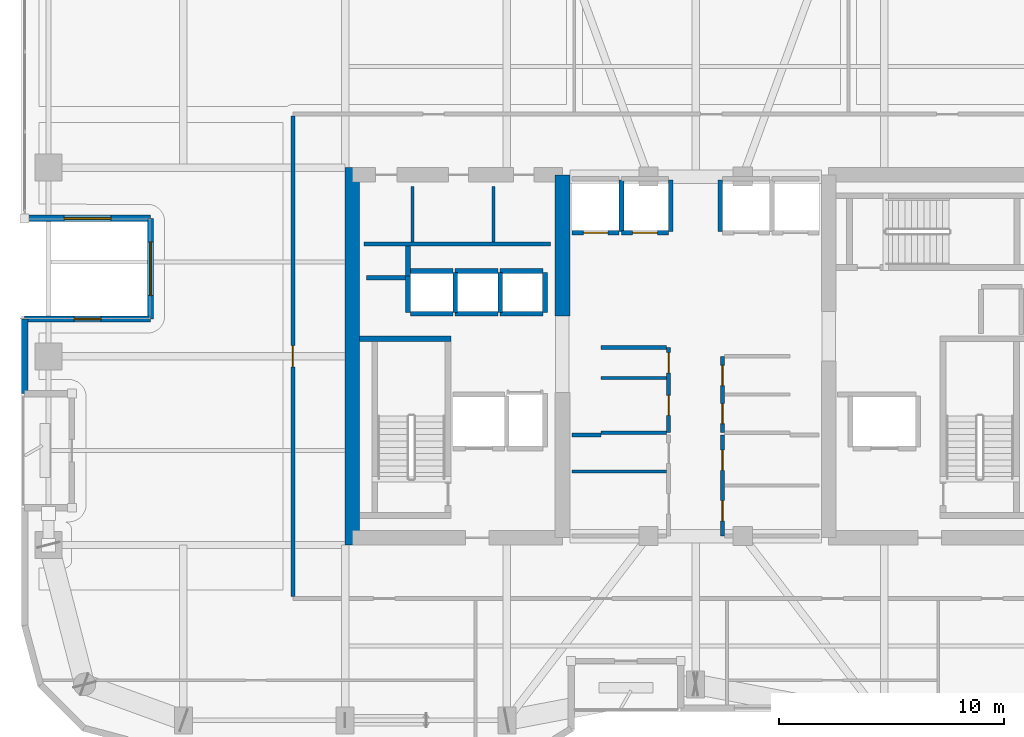
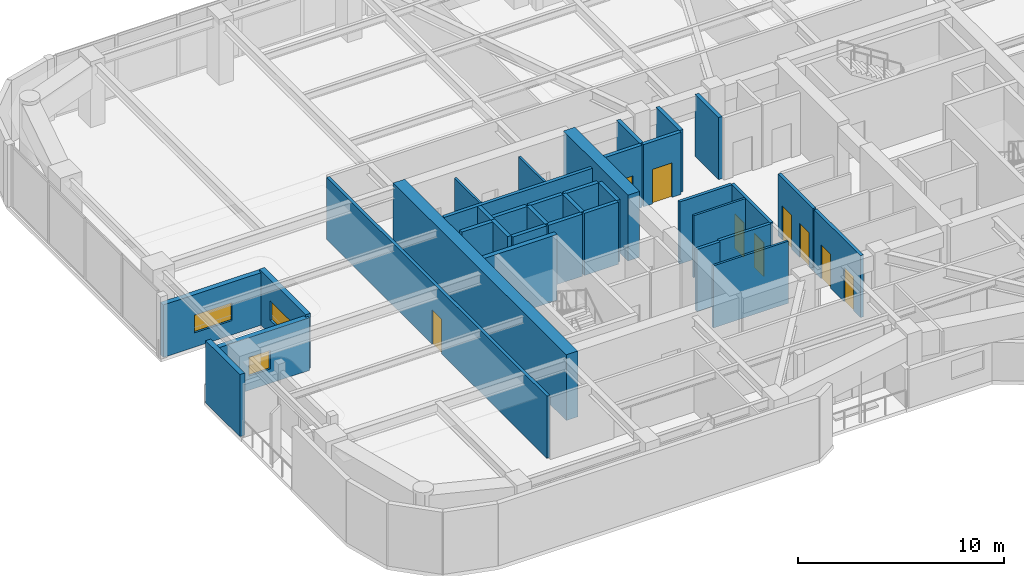
# One storey, part 21 of 26: 36 walls, 9 doors, 3 windows, 12 openings.
"""IFC4 building model written with IfcOpenShell, lengths in metres."""

from ifc_helpers import new_model, si_unit, direction, frame, frame_2d, origin, place, context, subcontext, project, spatial, rectangle, extrude, material, layer, layer_set, type_object, element, fill, save


model = new_model("IFC4")

# Units and contexts
model_context = context("Model", 3, precision=1e-05, world=origin(), true_north=direction((0.0, 1.0)))
body_context = subcontext(model_context, "Body", "Model", "MODEL_VIEW")
ifc_project = project(units=[si_unit("LENGTHUNIT", "METRE"), si_unit("AREAUNIT", "SQUARE_METRE"), si_unit("VOLUMEUNIT", "CUBIC_METRE"), si_unit("PLANEANGLEUNIT", "RADIAN"), si_unit("MASSUNIT", "GRAM", prefix="KILO")], contexts=[model_context])

# Site, building, storey
site_placement = place(None, origin())
site = spatial("IfcSite", under=ifc_project, at=site_placement, CompositionType="ELEMENT")
building_placement = place(site_placement, origin())
building = spatial("IfcBuilding", under=site, at=building_placement, Name="Kiyonajd Concourse Tower", CompositionType="ELEMENT")
storey_placement = place(building_placement, frame((0.0, 0.0, 186.300048828125)))
storey = spatial("IfcBuildingStorey", under=building, at=storey_placement, Name="L47", CompositionType="ELEMENT", Elevation=186.300048828125)

# Walls
ifc_material_1 = material(Name="Concrete C60/75", Category="concrete")
ifc_layer_1 = layer(ifc_material_1, 0.64990234375)
ifc_layer_set_1 = layer_set([ifc_layer_1], Name="Concrete C60/75")
wall_type_1 = type_object("IfcWallType", Name="WL-CORE-650", PredefinedType="SHEAR", material=ifc_layer_set_1)
wall_1_placement = place(storey_placement, frame((32.72509765625, 27.60009765625, 0.0), z_axis=(0.0, 0.0, 1.0), x_axis=(0.0, 1.0, 0.0)))
element("IfcWall", 1, at=wall_1_placement, inside=storey, type_object=wall_type_1, Name="L47 West Core Outer Shear Wall", PredefinedType="SHEAR", context=body_context, shape_type="SweptSolid", body=[
    extrude(rectangle(XDim=16.7998046875, YDim=0.64990234375, at=frame_2d((8.39990234375, 0.0))), origin(), (0.0, 0.0, 1.0), 3.89990234375),
])
wall_2_placement = place(storey_placement, frame((42.074951171875, 37.800048828125, 0.0), z_axis=(0.0, 0.0, 1.0), x_axis=(0.0, 1.0, 0.0)))
element("IfcWall", 2, at=wall_2_placement, inside=storey, type_object=wall_type_1, Name="L47 West Core Inner North Shear Wall", PredefinedType="SHEAR", context=body_context, shape_type="SweptSolid", body=[
    extrude(rectangle(XDim=6.27490234375, YDim=0.64990234375, at=frame_2d((3.137451171875, 0.0))), origin(), (0.0, 0.0, 1.0), 3.89990234375),
])
ifc_material_2 = material(Name="Precast concrete C50/60", Category="concrete")
ifc_layer_2 = layer(ifc_material_2, 0.280029296875)
ifc_layer_set_2 = layer_set([ifc_layer_2], Name="Precast concrete C50/60")
wall_type_2 = type_object("IfcWallType", Name="WL-EXT-280", PredefinedType="SOLIDWALL", material=ifc_layer_set_2)
wall_3_placement = place(storey_placement, frame((18.139892578125, 34.340087890625, 0.0), z_axis=(0.0, 0.0, 1.0), x_axis=(0.0, 1.0, 0.0)))
element("IfcWall", 3, at=wall_3_placement, inside=storey, type_object=wall_type_2, Name="L47 Exterior Concrete Frame Wall 04", PredefinedType="SOLIDWALL", context=body_context, shape_type="SweptSolid", body=[
    extrude(rectangle(XDim=3.31982421875, YDim=0.280029296875, at=frame_2d((1.659912109375, 0.0))), origin(), (0.0, 0.0, 1.0), 3.679931640625),
])

# Wall, opening, window
wall_4_placement = place(storey_placement, frame((18.139892578125, 37.659912109375, 0.0), z_axis=(0.0, 0.0, 1.0), x_axis=(1.0, 0.0, 0.0)))
wall_4 = element("IfcWall", 4, at=wall_4_placement, inside=storey, type_object=wall_type_2, Name="L47 Exterior Concrete Frame Wall 05", PredefinedType="SOLIDWALL", context=body_context, shape_type="SweptSolid", body=[
    extrude(rectangle(XDim=5.60009765625, YDim=0.280029296875, at=frame_2d((2.800048828125, 0.0))), origin(), (0.0, 0.0, 1.0), 3.115966796875),
])
opening_1_placement = place(wall_4_placement, frame((2.199951171875, 0.0, 0.85009765625)))
opening_1 = element("IfcOpeningElement", 5, at=opening_1_placement, cuts=wall_4, Name="Opening WN3", PredefinedType="OPENING", context=body_context, shape_type="SweptSolid", body=[
    extrude(rectangle(XDim=1.199951171875, YDim=1.10009765625, at=frame_2d((0.60009765625, 0.550048828125))), frame((0.0, 0.14990234375, 0.0), z_axis=(0.0, -1.0, 0.0), x_axis=(1.0, 0.0, 0.0)), (0.0, 0.0, 1.0), 0.300048828125),
])
ifc_material_3 = material(Name="Double Low-E Insulated Glass", Category="glass")
window_type_1 = type_object("IfcWindowType", Name="WN-VIS-1200x1100", PartitioningType="SINGLE_PANEL", PredefinedType="WINDOW", material=ifc_material_3)
window_1_placement = place(opening_1_placement, origin())
window_1 = element("IfcWindow", 6, at=window_1_placement, inside=storey, type_object=window_type_1, Name="L47 Modular Facade Vision Window 05", OverallHeight=1.10009765625, OverallWidth=1.199951171875, PartitioningType="SINGLE_PANEL", PredefinedType="WINDOW", context=body_context, shape_type="SweptSolid", body=[
    extrude(rectangle(XDim=1.199951171875, YDim=1.10009765625, at=frame_2d((0.60009765625, 0.550048828125))), frame((0.0, 0.030029296875, 0.0), z_axis=(0.0, -1.0, 0.0), x_axis=(1.0, 0.0, 0.0)), (0.0, 0.0, 1.0), 0.06005859375),
])
fill(opening_1, window_1)

wall_5_placement = place(storey_placement, frame((23.739990234375, 37.659912109375, 0.0), z_axis=(0.0, 0.0, 1.0), x_axis=(0.0, 1.0, 0.0)))
wall_5 = element("IfcWall", 7, at=wall_5_placement, inside=storey, type_object=wall_type_2, Name="L47 Exterior Concrete Frame Wall 06", PredefinedType="SOLIDWALL", context=body_context, shape_type="SweptSolid", body=[
    extrude(rectangle(XDim=4.47998046875, YDim=0.280029296875, at=frame_2d((2.239990234375, 0.0))), origin(), (0.0, 0.0, 1.0), 3.248046875),
])
opening_2_placement = place(wall_5_placement, frame((1.0400390625, 0.0, 0.85009765625)))
opening_2 = element("IfcOpeningElement", 8, at=opening_2_placement, cuts=wall_5, Name="Opening WN4", PredefinedType="OPENING", context=body_context, shape_type="SweptSolid", body=[
    extrude(rectangle(XDim=2.39990234375, YDim=1.14990234375, at=frame_2d((1.199951171875, 0.574951171875))), frame((0.0, 0.14990234375, 0.0), z_axis=(0.0, -1.0, 0.0), x_axis=(1.0, 0.0, 0.0)), (0.0, 0.0, 1.0), 0.300048828125),
])
window_type_2 = type_object("IfcWindowType", Name="WN-VIS-2400x1150", PartitioningType="SINGLE_PANEL", PredefinedType="WINDOW", material=ifc_material_3)
window_2_placement = place(opening_2_placement, origin())
window_2 = element("IfcWindow", 9, at=window_2_placement, inside=storey, type_object=window_type_2, Name="L47 Modular Facade Vision Window 06", OverallHeight=1.14990234375, OverallWidth=2.39990234375, PartitioningType="SINGLE_PANEL", PredefinedType="WINDOW", context=body_context, shape_type="SweptSolid", body=[
    extrude(rectangle(XDim=2.39990234375, YDim=1.14990234375, at=frame_2d((1.199951171875, 0.574951171875))), frame((0.0, 0.030029296875, 0.0), z_axis=(0.0, -1.0, 0.0), x_axis=(1.0, 0.0, 0.0)), (0.0, 0.0, 1.0), 0.06005859375),
])
fill(opening_2, window_2)

wall_6_placement = place(storey_placement, frame((23.739990234375, 42.139892578125, 0.0), z_axis=(0.0, 0.0, 1.0), x_axis=(-1.0, 0.0, 0.0)))
wall_6 = element("IfcWall", 10, at=wall_6_placement, inside=storey, type_object=wall_type_2, Name="L47 Exterior Concrete Frame Wall 07", PredefinedType="SOLIDWALL", context=body_context, shape_type="SweptSolid", body=[
    extrude(rectangle(XDim=5.60009765625, YDim=0.280029296875, at=frame_2d((2.800048828125, 0.0))), origin(), (0.0, 0.0, 1.0), 3.115966796875),
])
opening_3_placement = place(wall_6_placement, frame((1.75, 0.0, 0.85009765625)))
opening_3 = element("IfcOpeningElement", 11, at=opening_3_placement, cuts=wall_6, Name="Opening WN5", PredefinedType="OPENING", context=body_context, shape_type="SweptSolid", body=[
    extrude(rectangle(XDim=2.10009765625, YDim=1.050048828125, at=frame_2d((1.050048828125, 0.52490234375))), frame((0.0, 0.14990234375, 0.0), z_axis=(0.0, -1.0, 0.0), x_axis=(1.0, 0.0, 0.0)), (0.0, 0.0, 1.0), 0.300048828125),
])
window_type_3 = type_object("IfcWindowType", Name="WN-VIS-2100x1050", PartitioningType="SINGLE_PANEL", PredefinedType="WINDOW", material=ifc_material_3)
window_3_placement = place(opening_3_placement, origin())
window_3 = element("IfcWindow", 12, at=window_3_placement, inside=storey, type_object=window_type_3, Name="L47 Modular Facade Vision Window 07", OverallHeight=1.050048828125, OverallWidth=2.10009765625, PartitioningType="SINGLE_PANEL", PredefinedType="WINDOW", context=body_context, shape_type="SweptSolid", body=[
    extrude(rectangle(XDim=2.10009765625, YDim=1.050048828125, at=frame_2d((1.050048828125, 0.52490234375))), frame((0.0, 0.030029296875, 0.0), z_axis=(0.0, -1.0, 0.0), x_axis=(1.0, 0.0, 0.0)), (0.0, 0.0, 1.0), 0.06005859375),
])
fill(opening_3, window_3)

# Walls
ifc_material_4 = material(Name="Gypsum Board on Cold-Formed Steel Stud", Category="steel")
ifc_layer_3 = layer(ifc_material_4, 0.125)
ifc_layer_set_3 = layer_set([ifc_layer_3], Name="Gypsum Board on Cold-Formed Steel Stud")
wall_type_3 = type_object("IfcWallType", Name="WL-PART-125", PredefinedType="PARTITIONING", material=ifc_layer_set_3)
for number, where, z_axis, x_axis, name in (
    (13, (35.39990234375, 41.094970703125, 0.0), (0.0, 0.0, 1.0), (0.0, 1.0, 0.0), "L47 Interior Partition Wall"),
    (14, (39.0, 41.094970703125, 0.0), (0.0, 0.0, 1.0), (0.0, 1.0, 0.0), "L47 Interior Partition Wall"),
):
    element("IfcWall", number, at=place(storey_placement, frame(where, z_axis=z_axis, x_axis=x_axis)), inside=storey, type_object=wall_type_3, Name=name, PredefinedType="PARTITIONING", context=body_context, shape_type="SweptSolid", body=[
        extrude(rectangle(XDim=2.455078125, YDim=0.125, at=frame_2d((1.2275390625, 0.0))), origin(), (0.0, 0.0, 1.0), 3.679931640625),
    ])
wall_7_placement = place(storey_placement, frame((43.800048828125, 35.031982421875, 0.0), z_axis=(0.0, 0.0, 1.0), x_axis=(1.0, 0.0, 0.0)))
element("IfcWall", 15, at=wall_7_placement, inside=storey, type_object=wall_type_3, Name="L47 Interior Partition Wall", PredefinedType="PARTITIONING", context=body_context, shape_type="SweptSolid", body=[
    extrude(rectangle(XDim=2.912841796875, YDim=0.125, at=frame_2d((1.45654296875, 0.0))), origin(), (0.0, 0.0, 1.0), 3.679931640625),
])
wall_8_placement = place(storey_placement, frame((42.5, 30.8798828125, 0.0), z_axis=(0.0, 0.0, 1.0), x_axis=(1.0, 0.0, 0.0)))
element("IfcWall", 16, at=wall_8_placement, inside=storey, type_object=wall_type_3, Name="L47 Interior Partition Wall", PredefinedType="PARTITIONING", context=body_context, shape_type="SweptSolid", body=[
    extrude(rectangle(XDim=4.212890625, YDim=0.125, at=frame_2d((2.1064453125, 0.0))), origin(), (0.0, 0.0, 1.0), 3.679931640625),
])
ifc_layer_4 = layer(ifc_material_4, 0.18994140625)
ifc_layer_set_4 = layer_set([ifc_layer_4], Name="Gypsum Board on Cold-Formed Steel Stud")
wall_type_4 = type_object("IfcWallType", Name="WL-PLMB-190", PredefinedType="PLUMBINGWALL", material=ifc_layer_set_4)
wall_9_placement = place(storey_placement, frame((33.25, 41.0, 0.0), z_axis=(0.0, 0.0, 1.0), x_axis=(1.0, 0.0, 0.0)))
element("IfcWall", 17, at=wall_9_placement, inside=storey, type_object=wall_type_4, Name="L47 Interior Partition Wall", PredefinedType="PLUMBINGWALL", context=body_context, shape_type="SweptSolid", body=[
    extrude(rectangle(XDim=8.300048828125, YDim=0.18994140625, at=frame_2d((4.14990234375, 0.0))), origin(), (0.0, 0.0, 1.0), 3.679931640625),
])
ifc_layer_5 = layer(ifc_material_4, 0.2099609375)
ifc_layer_set_5 = layer_set([ifc_layer_5], Name="Gypsum Board on Cold-Formed Steel Stud")
wall_type_5 = type_object("IfcWallType", Name="WL-SHAFT-210", PredefinedType="PARTITIONING", material=ifc_layer_set_5)
wall_10_placement = place(storey_placement, frame((33.360107421875, 39.5, 0.0), z_axis=(0.0, 0.0, 1.0), x_axis=(1.0, 0.0, 0.0)))
element("IfcWall", 18, at=wall_10_placement, inside=storey, type_object=wall_type_5, Name="L47 Shaft Enclosure Wall", PredefinedType="PARTITIONING", context=body_context, shape_type="SweptSolid", body=[
    extrude(rectangle(XDim=1.85986328125, YDim=0.2099609375, at=frame_2d((0.929931640625, 0.0))), origin(), (0.0, 0.0, 1.0), 3.679931640625),
])
wall_11_placement = place(storey_placement, frame((35.199951171875, 39.580078125, 0.0), z_axis=(0.0, 0.0, 1.0), x_axis=(0.0, 1.0, 0.0)))
element("IfcWall", 19, at=wall_11_placement, inside=storey, type_object=wall_type_5, Name="L47 Shaft Enclosure Wall", PredefinedType="PARTITIONING", context=body_context, shape_type="SweptSolid", body=[
    extrude(rectangle(XDim=1.31982421875, YDim=0.2099609375, at=frame_2d((0.659912109375, 0.0))), origin(), (0.0, 0.0, 1.0), 3.679931640625),
])

# Wall, opening, door
wall_12_placement = place(storey_placement, frame((42.5, 41.5, 0.0), z_axis=(0.0, 0.0, 1.0), x_axis=(1.0, 0.0, 0.0)))
wall_12 = element("IfcWall", 20, at=wall_12_placement, inside=storey, type_object=wall_type_5, Name="L47 Shaft Enclosure Wall", PredefinedType="PARTITIONING", context=body_context, shape_type="SweptSolid", body=[
    extrude(rectangle(XDim=2.10009765625, YDim=0.2099609375, at=frame_2d((1.050048828125, 0.0))), origin(), (0.0, 0.0, 1.0), 3.679931640625),
])
opening_4_placement = place(wall_12_placement, frame((0.5, 0.0, 0.0)))
opening_4 = element("IfcOpeningElement", 21, at=opening_4_placement, cuts=wall_12, Name="Opening LD1", PredefinedType="OPENING", context=body_context, shape_type="SweptSolid", body=[
    extrude(rectangle(XDim=1.10009765625, YDim=2.0400390625, at=frame_2d((0.550048828125, 1.02001953125))), frame((0.0, 0.114990234375, 0.0), z_axis=(0.0, -1.0, 0.0), x_axis=(1.0, 0.0, 0.0)), (0.0, 0.0, 1.0), 0.22998046875),
])
ifc_material_5 = material(Name="Brushed Stainless Steel Cab Assembly", Category="steel")
door_type_1 = type_object("IfcDoorType", Name="DR-LD-1100", OperationType="DOUBLE_DOOR_SLIDING", PredefinedType="DOOR", material=ifc_material_5)
door_1_placement = place(opening_4_placement, origin())
door_1 = element("IfcDoor", 22, at=door_1_placement, inside=storey, type_object=door_type_1, Name="L47 Lift PL-M1 Sliding Landing Door", OperationType="DOUBLE_DOOR_SLIDING", OverallHeight=2.0400390625, OverallWidth=1.10009765625, PredefinedType="DOOR", context=body_context, shape_type="SweptSolid", body=[
    extrude(rectangle(XDim=1.10009765625, YDim=2.0400390625, at=frame_2d((0.550048828125, 1.02001953125))), frame((0.0, 0.02490234375, 0.0), z_axis=(0.0, -1.0, 0.0), x_axis=(1.0, 0.0, 0.0)), (0.0, 0.0, 1.0), 0.050048828125),
])
fill(opening_4, door_1)

# Wall
wall_13_placement = place(storey_placement, frame((44.699951171875, 41.56005859375, 0.0), z_axis=(0.0, 0.0, 1.0), x_axis=(0.0, 1.0, 0.0)))
element("IfcWall", 23, at=wall_13_placement, inside=storey, type_object=wall_type_5, Name="L47 Shaft Enclosure Wall", PredefinedType="PARTITIONING", context=body_context, shape_type="SweptSolid", body=[
    extrude(rectangle(XDim=2.280029296875, YDim=0.2099609375, at=frame_2d((1.14013671875, 0.0))), origin(), (0.0, 0.0, 1.0), 3.679931640625),
])

# Wall, opening, door
wall_14_placement = place(storey_placement, frame((44.699951171875, 41.5, 0.0), z_axis=(0.0, 0.0, 1.0), x_axis=(1.0, 0.0, 0.0)))
wall_14 = element("IfcWall", 24, at=wall_14_placement, inside=storey, type_object=wall_type_5, Name="L47 Shaft Enclosure Wall", PredefinedType="PARTITIONING", context=body_context, shape_type="SweptSolid", body=[
    extrude(rectangle(XDim=2.10009765625, YDim=0.2099609375, at=frame_2d((1.050048828125, 0.0))), origin(), (0.0, 0.0, 1.0), 3.679931640625),
])
opening_5_placement = place(wall_14_placement, frame((0.5, 0.0, 0.0)))
opening_5 = element("IfcOpeningElement", 25, at=opening_5_placement, cuts=wall_14, Name="Opening LD1", PredefinedType="OPENING", context=body_context, shape_type="SweptSolid", body=[
    extrude(rectangle(XDim=1.10009765625, YDim=2.0400390625, at=frame_2d((0.550048828125, 1.02001953125))), frame((0.0, 0.114990234375, 0.0), z_axis=(0.0, -1.0, 0.0), x_axis=(1.0, 0.0, 0.0)), (0.0, 0.0, 1.0), 0.22998046875),
])
door_2_placement = place(opening_5_placement, origin())
door_2 = element("IfcDoor", 26, at=door_2_placement, inside=storey, type_object=door_type_1, Name="L47 Lift PL-M2 Sliding Landing Door", OperationType="DOUBLE_DOOR_SLIDING", OverallHeight=2.0400390625, OverallWidth=1.10009765625, PredefinedType="DOOR", context=body_context, shape_type="SweptSolid", body=[
    extrude(rectangle(XDim=1.10009765625, YDim=2.0400390625, at=frame_2d((0.550048828125, 1.02001953125))), frame((0.0, 0.02490234375, 0.0), z_axis=(0.0, -1.0, 0.0), x_axis=(1.0, 0.0, 0.0)), (0.0, 0.0, 1.0), 0.050048828125),
])
fill(opening_5, door_2)

# Walls
for number, where, z_axis, x_axis, name in (
    (27, (46.89990234375, 41.56005859375, 0.0), (0.0, 0.0, 1.0), (0.0, 1.0, 0.0), "L47 Shaft Enclosure Wall"),
    (28, (49.10009765625, 41.56005859375, 0.0), (0.0, 0.0, 1.0), (0.0, 1.0, 0.0), "L47 Shaft Enclosure Wall"),
):
    element("IfcWall", number, at=place(storey_placement, frame(where, z_axis=z_axis, x_axis=x_axis)), inside=storey, type_object=wall_type_5, Name=name, PredefinedType="PARTITIONING", context=body_context, shape_type="SweptSolid", body=[
        extrude(rectangle(XDim=2.280029296875, YDim=0.2099609375, at=frame_2d((1.14013671875, 0.0))), origin(), (0.0, 0.0, 1.0), 3.679931640625),
    ])
for number, where, z_axis, x_axis, name in (
    (29, (35.300048828125, 37.89990234375, 0.0), (0.0, 0.0, 1.0), (1.0, 0.0, 0.0), "L47 Shaft Enclosure Wall"),
    (30, (35.300048828125, 39.800048828125, 0.0), (0.0, 0.0, 1.0), (1.0, 0.0, 0.0), "L47 Shaft Enclosure Wall"),
):
    element("IfcWall", number, at=place(storey_placement, frame(where, z_axis=z_axis, x_axis=x_axis)), inside=storey, type_object=wall_type_5, Name=name, PredefinedType="PARTITIONING", context=body_context, shape_type="SweptSolid", body=[
        extrude(rectangle(XDim=1.89990234375, YDim=0.2099609375, at=frame_2d((0.949951171875, 0.0))), origin(), (0.0, 0.0, 1.0), 3.679931640625),
    ])
wall_15_placement = place(storey_placement, frame((35.199951171875, 37.9599609375, 0.0), z_axis=(0.0, 0.0, 1.0), x_axis=(0.0, 1.0, 0.0)))
element("IfcWall", 31, at=wall_15_placement, inside=storey, type_object=wall_type_5, Name="L47 Shaft Enclosure Wall", PredefinedType="PARTITIONING", context=body_context, shape_type="SweptSolid", body=[
    extrude(rectangle(XDim=1.6201171875, YDim=0.2099609375, at=frame_2d((0.81005859375, 0.0))), origin(), (0.0, 0.0, 1.0), 3.679931640625),
])
wall_16_placement = place(storey_placement, frame((37.300048828125, 37.9599609375, 0.0), z_axis=(0.0, 0.0, 1.0), x_axis=(0.0, 1.0, 0.0)))
element("IfcWall", 32, at=wall_16_placement, inside=storey, type_object=wall_type_5, Name="L47 Shaft Enclosure Wall", PredefinedType="PARTITIONING", context=body_context, shape_type="SweptSolid", body=[
    extrude(rectangle(XDim=1.780029296875, YDim=0.2099609375, at=frame_2d((0.89013671875, 0.0))), origin(), (0.0, 0.0, 1.0), 3.679931640625),
])
for number, where, z_axis, x_axis, name in (
    (33, (37.300048828125, 37.89990234375, 0.0), (0.0, 0.0, 1.0), (1.0, 0.0, 0.0), "L47 Shaft Enclosure Wall"),
    (34, (37.300048828125, 39.800048828125, 0.0), (0.0, 0.0, 1.0), (1.0, 0.0, 0.0), "L47 Shaft Enclosure Wall"),
):
    element("IfcWall", number, at=place(storey_placement, frame(where, z_axis=z_axis, x_axis=x_axis)), inside=storey, type_object=wall_type_5, Name=name, PredefinedType="PARTITIONING", context=body_context, shape_type="SweptSolid", body=[
        extrude(rectangle(XDim=1.89990234375, YDim=0.2099609375, at=frame_2d((0.949951171875, 0.0))), origin(), (0.0, 0.0, 1.0), 3.679931640625),
    ])
wall_17_placement = place(storey_placement, frame((39.300048828125, 37.9599609375, 0.0), z_axis=(0.0, 0.0, 1.0), x_axis=(0.0, 1.0, 0.0)))
element("IfcWall", 35, at=wall_17_placement, inside=storey, type_object=wall_type_5, Name="L47 Shaft Enclosure Wall", PredefinedType="PARTITIONING", context=body_context, shape_type="SweptSolid", body=[
    extrude(rectangle(XDim=1.780029296875, YDim=0.2099609375, at=frame_2d((0.89013671875, 0.0))), origin(), (0.0, 0.0, 1.0), 3.679931640625),
])
for number, where, z_axis, x_axis, name in (
    (36, (39.300048828125, 37.89990234375, 0.0), (0.0, 0.0, 1.0), (1.0, 0.0, 0.0), "L47 Shaft Enclosure Wall"),
    (37, (39.300048828125, 39.800048828125, 0.0), (0.0, 0.0, 1.0), (1.0, 0.0, 0.0), "L47 Shaft Enclosure Wall"),
):
    element("IfcWall", number, at=place(storey_placement, frame(where, z_axis=z_axis, x_axis=x_axis)), inside=storey, type_object=wall_type_5, Name=name, PredefinedType="PARTITIONING", context=body_context, shape_type="SweptSolid", body=[
        extrude(rectangle(XDim=1.89990234375, YDim=0.2099609375, at=frame_2d((0.949951171875, 0.0))), origin(), (0.0, 0.0, 1.0), 3.679931640625),
    ])
wall_18_placement = place(storey_placement, frame((41.300048828125, 37.9599609375, 0.0), z_axis=(0.0, 0.0, 1.0), x_axis=(0.0, 1.0, 0.0)))
element("IfcWall", 38, at=wall_18_placement, inside=storey, type_object=wall_type_5, Name="L47 Shaft Enclosure Wall", PredefinedType="PARTITIONING", context=body_context, shape_type="SweptSolid", body=[
    extrude(rectangle(XDim=1.780029296875, YDim=0.2099609375, at=frame_2d((0.89013671875, 0.0))), origin(), (0.0, 0.0, 1.0), 3.679931640625),
])

# Wall, openings, doors
ifc_layer_6 = layer(ifc_material_4, 0.169921875)
ifc_layer_set_6 = layer_set([ifc_layer_6], Name="Gypsum Board on Cold-Formed Steel Stud")
wall_type_6 = type_object("IfcWallType", Name="WL-SMK-170", PredefinedType="PARTITIONING", material=ifc_layer_set_6)
wall_19_placement = place(storey_placement, frame((46.800048828125, 32.60009765625, 0.0), z_axis=(0.0, 0.0, 1.0), x_axis=(0.0, 1.0, 0.0)))
wall_19 = element("IfcWall", 39, at=wall_19_placement, inside=storey, type_object=wall_type_6, Name="L47 Interior Partition Wall", PredefinedType="PARTITIONING", context=body_context, shape_type="SweptSolid", body=[
    extrude(rectangle(XDim=3.7998046875, YDim=0.169921875, at=frame_2d((1.89990234375, 0.0))), origin(), (0.0, 0.0, 1.0), 3.679931640625),
])
opening_6_placement = place(wall_19_placement, frame((0.76611328125, 0.0, 0.0)))
opening_6 = element("IfcOpeningElement", 40, at=opening_6_placement, cuts=wall_19, Name="Opening DF4", PredefinedType="OPENING", context=body_context, shape_type="SweptSolid", body=[
    extrude(rectangle(XDim=0.89990234375, YDim=2.02001953125, at=frame_2d((0.449951171875, 1.010009765625))), frame((0.0, 0.094970703125, 0.0), z_axis=(0.0, -1.0, 0.0), x_axis=(1.0, 0.0, 0.0)), (0.0, 0.0, 1.0), 0.18994140625),
])
opening_7_placement = place(wall_19_placement, frame((2.666015625, 0.0, 0.0)))
opening_7 = element("IfcOpeningElement", 41, at=opening_7_placement, cuts=wall_19, Name="Opening DF4", PredefinedType="OPENING", context=body_context, shape_type="SweptSolid", body=[
    extrude(rectangle(XDim=0.89990234375, YDim=2.02001953125, at=frame_2d((0.449951171875, 1.010009765625))), frame((0.0, 0.094970703125, 0.0), z_axis=(0.0, -1.0, 0.0), x_axis=(1.0, 0.0, 0.0)), (0.0, 0.0, 1.0), 0.18994140625),
])
door_type_2 = type_object("IfcDoorType", Name="DR-FD60-900", OperationType="NOTDEFINED", PredefinedType="DOOR", material=ifc_material_5)
door_3_placement = place(opening_6_placement, origin())
door_3 = element("IfcDoor", 42, at=door_3_placement, inside=storey, type_object=door_type_2, Name="L47 Interior Door", OperationType="SINGLE_SWING_LEFT", OverallHeight=2.02001953125, OverallWidth=0.89990234375, PredefinedType="DOOR", context=body_context, shape_type="SweptSolid", body=[
    extrude(rectangle(XDim=0.89990234375, YDim=2.02001953125, at=frame_2d((0.449951171875, 1.010009765625))), frame((0.0, 0.02490234375, 0.0), z_axis=(0.0, -1.0, 0.0), x_axis=(1.0, 0.0, 0.0)), (0.0, 0.0, 1.0), 0.050048828125),
])
fill(opening_6, door_3)
door_4_placement = place(opening_7_placement, origin())
door_4 = element("IfcDoor", 43, at=door_4_placement, inside=storey, type_object=door_type_2, Name="L47 Interior Door", OperationType="SINGLE_SWING_RIGHT", OverallHeight=2.02001953125, OverallWidth=0.89990234375, PredefinedType="DOOR", context=body_context, shape_type="SweptSolid", body=[
    extrude(rectangle(XDim=0.89990234375, YDim=2.02001953125, at=frame_2d((0.449951171875, 1.010009765625))), frame((0.0, 0.02490234375, 0.0), z_axis=(0.0, -1.0, 0.0), x_axis=(1.0, 0.0, 0.0)), (0.0, 0.0, 1.0), 0.050048828125),
])
fill(opening_7, door_4)

# Walls
for number, where, z_axis, x_axis, name in (
    (44, (43.800048828125, 32.60009765625, 0.0), (0.0, 0.0, 1.0), (1.0, 0.0, 0.0), "L47 Interior Partition Wall"),
    (45, (43.800048828125, 36.39990234375, 0.0), (0.0, 0.0, 1.0), (1.0, 0.0, 0.0), "L47 Interior Partition Wall"),
):
    element("IfcWall", number, at=place(storey_placement, frame(where, z_axis=z_axis, x_axis=x_axis)), inside=storey, type_object=wall_type_6, Name=name, PredefinedType="PARTITIONING", context=body_context, shape_type="SweptSolid", body=[
        extrude(rectangle(XDim=2.912841796875, YDim=0.169921875, at=frame_2d((1.45654296875, 0.0))), origin(), (0.0, 0.0, 1.0), 3.679931640625),
    ])

# Wall, openings, doors
wall_20_placement = place(storey_placement, frame((49.199951171875, 32.60009765625, 0.0), z_axis=(0.0, 0.0, 1.0), x_axis=(0.0, 1.0, 0.0)))
wall_20 = element("IfcWall", 46, at=wall_20_placement, inside=storey, type_object=wall_type_6, Name="L47 Interior Partition Wall", PredefinedType="PARTITIONING", context=body_context, shape_type="SweptSolid", body=[
    extrude(rectangle(XDim=3.39990234375, YDim=0.169921875, at=frame_2d((1.699951171875, 0.0))), origin(), (0.0, 0.0, 1.0), 3.679931640625),
])
opening_8_placement = place(wall_20_placement, frame((0.39990234375, 0.0, 0.0)))
opening_8 = element("IfcOpeningElement", 47, at=opening_8_placement, cuts=wall_20, Name="Opening DI2", PredefinedType="OPENING", context=body_context, shape_type="SweptSolid", body=[
    extrude(rectangle(XDim=0.89990234375, YDim=2.02001953125, at=frame_2d((0.449951171875, 1.010009765625))), frame((0.0, 0.094970703125, 0.0), z_axis=(0.0, -1.0, 0.0), x_axis=(1.0, 0.0, 0.0)), (0.0, 0.0, 1.0), 0.18994140625),
])
opening_9_placement = place(wall_20_placement, frame((2.10009765625, 0.0, 0.0)))
opening_9 = element("IfcOpeningElement", 48, at=opening_9_placement, cuts=wall_20, Name="Opening DI2", PredefinedType="OPENING", context=body_context, shape_type="SweptSolid", body=[
    extrude(rectangle(XDim=0.89990234375, YDim=2.02001953125, at=frame_2d((0.449951171875, 1.010009765625))), frame((0.0, 0.094970703125, 0.0), z_axis=(0.0, -1.0, 0.0), x_axis=(1.0, 0.0, 0.0)), (0.0, 0.0, 1.0), 0.18994140625),
])
ifc_material_6 = material(Name="Natural Oak Acoustic Timber Veneer", Category="wood")
door_type_3 = type_object("IfcDoorType", Name="DR-INT-900", OperationType="NOTDEFINED", PredefinedType="DOOR", material=ifc_material_6)
door_5_placement = place(opening_8_placement, origin())
door_5 = element("IfcDoor", 49, at=door_5_placement, inside=storey, type_object=door_type_3, Name="L47 Interior Door", OperationType="SINGLE_SWING_LEFT", OverallHeight=2.02001953125, OverallWidth=0.89990234375, PredefinedType="DOOR", context=body_context, shape_type="SweptSolid", body=[
    extrude(rectangle(XDim=0.89990234375, YDim=2.02001953125, at=frame_2d((0.449951171875, 1.010009765625))), frame((0.0, 0.02490234375, 0.0), z_axis=(0.0, -1.0, 0.0), x_axis=(1.0, 0.0, 0.0)), (0.0, 0.0, 1.0), 0.050048828125),
])
fill(opening_8, door_5)
door_6_placement = place(opening_9_placement, origin())
door_6 = element("IfcDoor", 50, at=door_6_placement, inside=storey, type_object=door_type_3, Name="L47 Interior Door", OperationType="SINGLE_SWING_RIGHT", OverallHeight=2.02001953125, OverallWidth=0.89990234375, PredefinedType="DOOR", context=body_context, shape_type="SweptSolid", body=[
    extrude(rectangle(XDim=0.89990234375, YDim=2.02001953125, at=frame_2d((0.449951171875, 1.010009765625))), frame((0.0, 0.02490234375, 0.0), z_axis=(0.0, -1.0, 0.0), x_axis=(1.0, 0.0, 0.0)), (0.0, 0.0, 1.0), 0.050048828125),
])
fill(opening_9, door_6)

# Wall
wall_21_placement = place(storey_placement, frame((42.5, 32.5, 0.0), z_axis=(0.0, 0.0, 1.0), x_axis=(1.0, 0.0, 0.0)))
element("IfcWall", 51, at=wall_21_placement, inside=storey, type_object=wall_type_6, Name="L47 Interior Partition Wall", PredefinedType="PARTITIONING", context=body_context, shape_type="SweptSolid", body=[
    extrude(rectangle(XDim=1.300048828125, YDim=0.169921875, at=frame_2d((0.64990234375, 0.0))), origin(), (0.0, 0.0, 1.0), 3.679931640625),
])

# Wall, openings, doors
wall_22_placement = place(storey_placement, frame((49.199951171875, 28.0, 0.0), z_axis=(0.0, 0.0, 1.0), x_axis=(0.0, 1.0, 0.0)))
wall_22 = element("IfcWall", 52, at=wall_22_placement, inside=storey, type_object=wall_type_6, Name="L47 Interior Partition Wall", PredefinedType="PARTITIONING", context=body_context, shape_type="SweptSolid", body=[
    extrude(rectangle(XDim=4.5, YDim=0.169921875, at=frame_2d((2.25, 0.0))), origin(), (0.0, 0.0, 1.0), 3.679931640625),
])
opening_10_placement = place(wall_22_placement, frame((0.675048828125, 0.0, 0.0)))
opening_10 = element("IfcOpeningElement", 53, at=opening_10_placement, cuts=wall_22, Name="Opening DI2", PredefinedType="OPENING", context=body_context, shape_type="SweptSolid", body=[
    extrude(rectangle(XDim=0.89990234375, YDim=2.02001953125, at=frame_2d((0.449951171875, 1.010009765625))), frame((0.0, 0.094970703125, 0.0), z_axis=(0.0, -1.0, 0.0), x_axis=(1.0, 0.0, 0.0)), (0.0, 0.0, 1.0), 0.18994140625),
])
opening_11_placement = place(wall_22_placement, frame((2.925048828125, 0.0, 0.0)))
opening_11 = element("IfcOpeningElement", 54, at=opening_11_placement, cuts=wall_22, Name="Opening DI2", PredefinedType="OPENING", context=body_context, shape_type="SweptSolid", body=[
    extrude(rectangle(XDim=0.89990234375, YDim=2.02001953125, at=frame_2d((0.449951171875, 1.010009765625))), frame((0.0, 0.094970703125, 0.0), z_axis=(0.0, -1.0, 0.0), x_axis=(1.0, 0.0, 0.0)), (0.0, 0.0, 1.0), 0.18994140625),
])
door_7_placement = place(opening_10_placement, origin())
door_7 = element("IfcDoor", 55, at=door_7_placement, inside=storey, type_object=door_type_3, Name="L47 Interior Door", OperationType="SINGLE_SWING_LEFT", OverallHeight=2.02001953125, OverallWidth=0.89990234375, PredefinedType="DOOR", context=body_context, shape_type="SweptSolid", body=[
    extrude(rectangle(XDim=0.89990234375, YDim=2.02001953125, at=frame_2d((0.449951171875, 1.010009765625))), frame((0.0, 0.02490234375, 0.0), z_axis=(0.0, -1.0, 0.0), x_axis=(1.0, 0.0, 0.0)), (0.0, 0.0, 1.0), 0.050048828125),
])
fill(opening_10, door_7)
door_8_placement = place(opening_11_placement, origin())
door_8 = element("IfcDoor", 56, at=door_8_placement, inside=storey, type_object=door_type_3, Name="L47 Interior Door", OperationType="SINGLE_SWING_RIGHT", OverallHeight=2.02001953125, OverallWidth=0.89990234375, PredefinedType="DOOR", context=body_context, shape_type="SweptSolid", body=[
    extrude(rectangle(XDim=0.89990234375, YDim=2.02001953125, at=frame_2d((0.449951171875, 1.010009765625))), frame((0.0, 0.02490234375, 0.0), z_axis=(0.0, -1.0, 0.0), x_axis=(1.0, 0.0, 0.0)), (0.0, 0.0, 1.0), 0.050048828125),
])
fill(opening_11, door_8)

# Wall, opening, door
wall_23_placement = place(storey_placement, frame((30.074951171875, 25.306884765625, 0.0), z_axis=(0.0, 0.0, 1.0), x_axis=(0.0, 1.0, 0.0)))
wall_23 = element("IfcWall", 57, at=wall_23_placement, inside=storey, type_object=wall_type_6, Name="L47 Interior Partition Wall", PredefinedType="PARTITIONING", context=body_context, shape_type="SweptSolid", body=[
    extrude(rectangle(XDim=21.38623046875, YDim=0.169921875, at=frame_2d((10.693115234375, 0.0))), origin(), (0.0, 0.0, 1.0), 3.679931640625),
])
opening_12_placement = place(wall_23_placement, frame((10.218017578125, 0.0, 0.0)))
opening_12 = element("IfcOpeningElement", 58, at=opening_12_placement, cuts=wall_23, Name="Opening DI1", PredefinedType="OPENING", context=body_context, shape_type="SweptSolid", body=[
    extrude(rectangle(XDim=0.949951171875, YDim=2.0400390625, at=frame_2d((0.47509765625, 1.02001953125))), frame((0.0, 0.094970703125, 0.0), z_axis=(0.0, -1.0, 0.0), x_axis=(1.0, 0.0, 0.0)), (0.0, 0.0, 1.0), 0.18994140625),
])
door_type_4 = type_object("IfcDoorType", Name="DR-INT-950", OperationType="NOTDEFINED", PredefinedType="DOOR", material=ifc_material_6)
door_9_placement = place(opening_12_placement, origin())
door_9 = element("IfcDoor", 59, at=door_9_placement, inside=storey, type_object=door_type_4, Name="L47 Interior Door", OperationType="SINGLE_SWING_RIGHT", OverallHeight=2.0400390625, OverallWidth=0.949951171875, PredefinedType="DOOR", context=body_context, shape_type="SweptSolid", body=[
    extrude(rectangle(XDim=0.949951171875, YDim=2.0400390625, at=frame_2d((0.47509765625, 1.02001953125))), frame((0.0, 0.02490234375, 0.0), z_axis=(0.0, -1.0, 0.0), x_axis=(1.0, 0.0, 0.0)), (0.0, 0.0, 1.0), 0.050048828125),
])
fill(opening_12, door_9)

# Wall
ifc_material_7 = material(Name="Concrete C50/60", Category="concrete")
ifc_layer_7 = layer(ifc_material_7, 0.260009765625)
ifc_layer_set_7 = layer_set([ifc_layer_7], Name="Concrete C50/60")
wall_type_7 = type_object("IfcWallType", Name="WL-STAIR-260", PredefinedType="SHEAR", material=ifc_layer_set_7)
wall_24_placement = place(storey_placement, frame((33.050048828125, 36.780029296875, 0.0), z_axis=(0.0, 0.0, 1.0), x_axis=(1.0, 0.0, 0.0)))
element("IfcWall", 60, at=wall_24_placement, inside=storey, type_object=wall_type_7, Name="L47 Stair ST1 Structural North Wall", PredefinedType="SHEAR", context=body_context, shape_type="SweptSolid", body=[
    extrude(rectangle(XDim=4.06005859375, YDim=0.260009765625, at=frame_2d((2.030029296875, 0.0))), origin(), (0.0, 0.0, 1.0), 3.89990234375),
])

save(model, "model.ifc")
